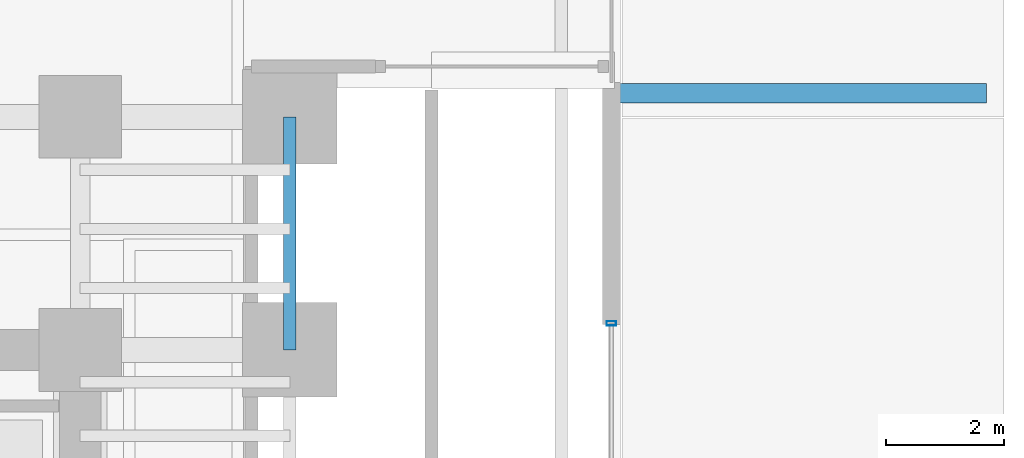
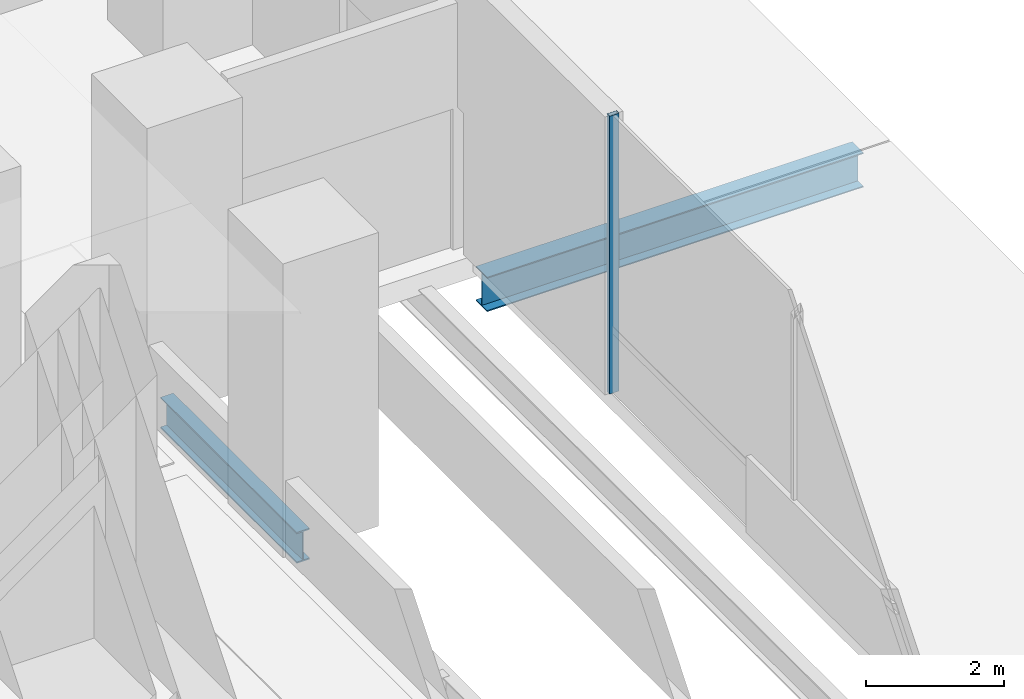
# One storey, part 14 of 27: 2 beams, 1 member, 1 element without a shape of its own.
"""IFC4 building model written with IfcOpenShell, lengths in metres."""

from ifc_helpers import new_model, si_unit, direction, frame, origin, origin_2d, place, context, subcontext, project, spatial, hollow_rectangle, i_section, extrude, source, transform, mapped, material, material_profile, profile_set, type_object, element, aggregate, save


model = new_model("IFC4")

# Units and contexts
model_context = context("Model", 3, precision=1e-05, world=origin(), true_north=direction((0.0, 1.0)))
body_context = subcontext(model_context, "Body", "Model", "MODEL_VIEW")
ifc_project = project(units=[si_unit("LENGTHUNIT", "METRE"), si_unit("AREAUNIT", "SQUARE_METRE"), si_unit("VOLUMEUNIT", "CUBIC_METRE"), si_unit("PLANEANGLEUNIT", "RADIAN"), si_unit("MASSUNIT", "GRAM", prefix="KILO")], contexts=[model_context])

# Site, building, storey
site_placement = place(None, origin())
site = spatial("IfcSite", under=ifc_project, at=site_placement, CompositionType="ELEMENT")
building_placement = place(site_placement, origin())
building = spatial("IfcBuilding", under=site, at=building_placement, Name="Valdorenza Pilgrim Sanctuary Tower", CompositionType="ELEMENT")
storey_placement = place(building_placement, origin())
storey = spatial("IfcBuildingStorey", under=building, at=storey_placement, Name="L00", CompositionType="ELEMENT", Elevation=0.0)

# Beams
ifc_material_1 = material(Name="Steel ASTM A992 Grade 50", Category="steel")
ifc_material_profile_1 = material_profile(ifc_material_1, i_section(OverallWidth=0.214111328125, OverallDepth=0.549072265625, WebThickness=0.0146484375, FlangeThickness=0.023681640625, at=origin_2d()), Name="W21X93")
ifc_profile_set_1 = profile_set([ifc_material_profile_1], Name="Steel ASTM A992 Grade 50")
beam_type_1 = type_object("IfcBeamType", Name="STR-BM-SPN-W21A", PredefinedType="SPANDREL", material=ifc_profile_set_1)
shared_shape_1 = source(origin(), body_context, "Body", "SweptSolid", [
    extrude(i_section(OverallWidth=0.214111328125, OverallDepth=0.549072265625, WebThickness=0.0146484375, FlangeThickness=0.023681640625, at=origin_2d()), origin(), (0.0, 0.0, 1.0), 3.949951171875),
])
beam_1_placement = place(storey_placement, frame((28.39990234375, 9.550048828125, -0.554443359375), z_axis=(0.0, 1.0, 0.0), x_axis=(-1.0, 0.0, 0.0)))
element("IfcBeam", 1, at=beam_1_placement, inside=storey, type_object=beam_type_1, Name="L00 Spandrel Beam WB-E-N1N2", PredefinedType="SPANDREL", context=body_context, shape_type="MappedRepresentation", body=[
    mapped(shared_shape_1, transform((0.0, 0.0, 0.0), x_axis=(1.0, 0.0, 0.0), y_axis=(0.0, 1.0, 0.0), z_axis=(0.0, 0.0, 1.0), scale=1.0)),
])
ifc_material_profile_2 = material_profile(ifc_material_1, i_section(OverallWidth=0.323974609375, OverallDepth=0.611083984375, WebThickness=0.0126953125, FlangeThickness=0.01904296875, at=origin_2d()), Name="W24X104")
ifc_profile_set_2 = profile_set([ifc_material_profile_2], Name="Steel ASTM A992 Grade 50")
beam_type_2 = type_object("IfcBeamType", Name="STR-BM-GRD-W24B", PredefinedType="BEAM", material=ifc_profile_set_2)
shared_shape_2 = source(origin(), body_context, "Body", "SweptSolid", [
    extrude(i_section(OverallWidth=0.323974609375, OverallDepth=0.611083984375, WebThickness=0.0126953125, FlangeThickness=0.01904296875, at=origin_2d()), origin(), (0.0, 0.0, 1.0), 6.300048828125),
])
beam_2_placement = place(storey_placement, frame((33.89990234375, 13.89990234375, -0.570068359375), z_axis=(1.0, 0.0, 0.0), x_axis=(0.0, 1.0, 0.0)))
element("IfcBeam", 2, at=beam_2_placement, inside=storey, type_object=beam_type_2, Name="L00 Driveway Apron Support Beam APR-S", PredefinedType="BEAM", context=body_context, shape_type="MappedRepresentation", body=[
    mapped(shared_shape_2, transform((0.0, 0.0, 0.0), x_axis=(1.0, 0.0, 0.0), y_axis=(0.0, 1.0, 0.0), z_axis=(0.0, 0.0, 1.0), scale=1.0)),
])

# Curtain wall, member
ifc_material_2 = material(Name="Curtain-wall IGU glazing", Category="glass")
curtain_wall_type = type_object("IfcCurtainWallType", Name="CW-SYS-01", PredefinedType="NOTDEFINED", material=ifc_material_2)
curtain_wall_placement = place(storey_placement, origin())
curtain_wall = element("IfcCurtainWall", 3, at=curtain_wall_placement, inside=storey, type_object=curtain_wall_type, Name="L00 Curtain Wall CW-POD-L00-EE", PredefinedType="NOTDEFINED")
ifc_material_3 = material(Name="Anodised aluminium AW-6060", Category="aluminium")
ifc_material_profile_3 = material_profile(ifc_material_3, hollow_rectangle(XDim=0.074951171875, YDim=0.159912109375, WallThickness=0.00390625, at=origin_2d()), Name="ALU-M 160x75x4")
ifc_profile_set_3 = profile_set([ifc_material_profile_3], Name="Anodised aluminium AW-6060")
member_type = type_object("IfcMemberType", Name="CW-MUL-01", PredefinedType="MULLION", material=ifc_profile_set_3)
shared_shape_3 = source(origin(), body_context, "Body", "SweptSolid", [
    extrude(hollow_rectangle(XDim=0.074951171875, YDim=0.159912109375, WallThickness=0.00390625, at=origin_2d()), origin(), (0.0, 0.0, 1.0), 4.919921875),
])
member_placement = place(storey_placement, frame((33.85009765625, 10.0, 0.0), z_axis=(0.0, 0.0, 1.0), x_axis=(0.0, 1.0, 0.0)))
member = element("IfcMember", 4, at=member_placement, type_object=member_type, Name="CW-POD-L00-EE Mullion 4", PredefinedType="MULLION", context=body_context, shape_type="MappedRepresentation", body=[
    mapped(shared_shape_3, transform((0.0, 0.0, 0.0), x_axis=(1.0, 0.0, 0.0), y_axis=(0.0, 1.0, 0.0), z_axis=(0.0, 0.0, 1.0), scale=1.0)),
])
aggregate(curtain_wall, [member])

save(model, "model.ifc")
